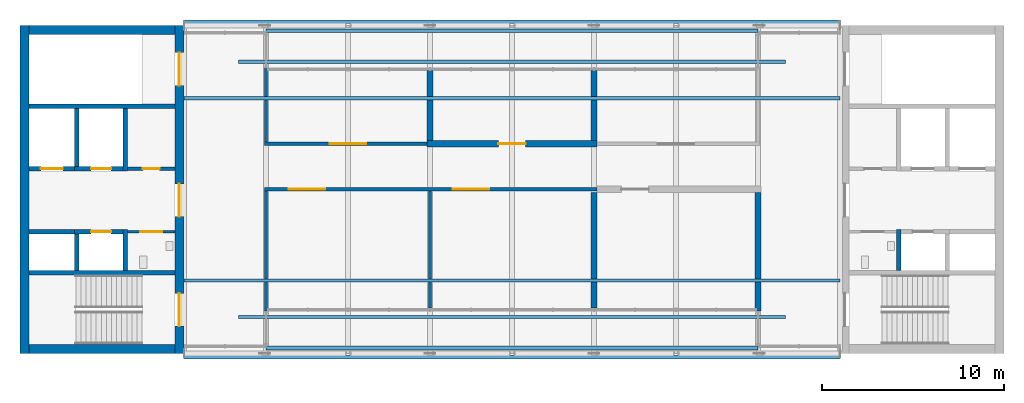
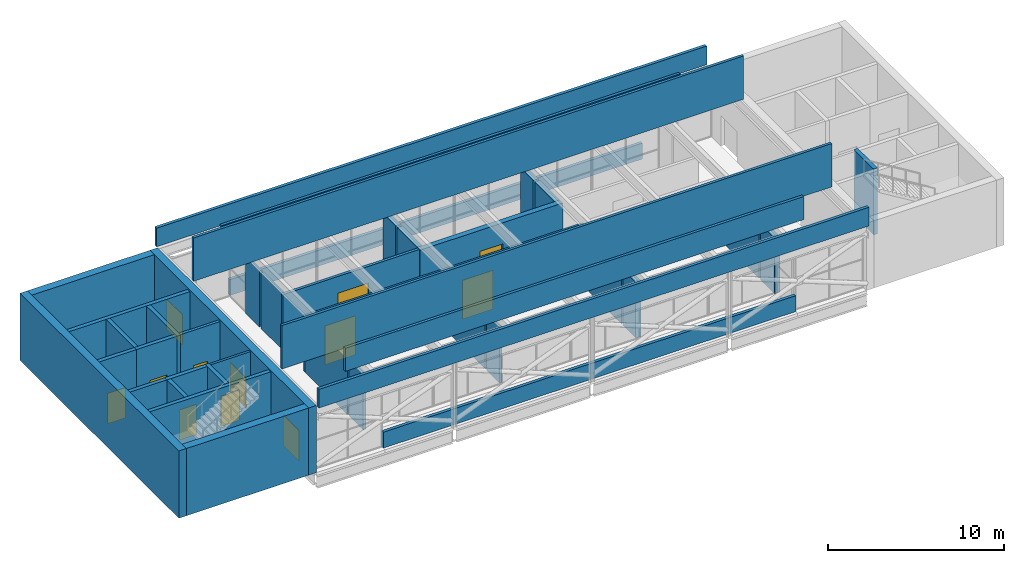
# One storey, part 10 of 13: 42 walls, 12 doors, 12 openings.
"""IFC4 building model written with IfcOpenShell, lengths in metres."""

from ifc_helpers import new_model, si_unit, direction, frame, frame_2d, origin, place, context, subcontext, project, spatial, rectangle, extrude, material, layer, layer_set, type_object, element, fill, save


model = new_model("IFC4")

# Units and contexts
model_context = context("Model", 3, precision=1e-05, world=origin(), true_north=direction((0.0, 1.0)))
body_context = subcontext(model_context, "Body", "Model", "MODEL_VIEW")
ifc_project = project(units=[si_unit("LENGTHUNIT", "METRE"), si_unit("AREAUNIT", "SQUARE_METRE"), si_unit("VOLUMEUNIT", "CUBIC_METRE"), si_unit("PLANEANGLEUNIT", "RADIAN"), si_unit("MASSUNIT", "GRAM", prefix="KILO")], contexts=[model_context])

# Site, building, storey
site_placement = place(None, origin())
site = spatial("IfcSite", under=ifc_project, at=site_placement, CompositionType="ELEMENT")
building_placement = place(site_placement, origin())
building = spatial("IfcBuilding", under=site, at=building_placement, Name="Corbel Yard City Hall", CompositionType="ELEMENT")
storey_placement = place(building_placement, frame((0.0, 0.0, 71.199951171875)))
storey = spatial("IfcBuildingStorey", under=building, at=storey_placement, Name="L17", CompositionType="ELEMENT", Elevation=71.199951171875)

# Walls
ifc_material_1 = material(Name="Anodised aluminium", Category="aluminium")
ifc_layer_1 = layer(ifc_material_1, 0.080078125)
ifc_material_2 = material(Name="Steel Grade 300 (300 MPa yield)", Category="steel")
ifc_layer_2 = layer(ifc_material_2, 0.10009765625)
ifc_layer_set_1 = layer_set([ifc_layer_1, ifc_layer_2], Name="Steel Grade 300 (300 MPa yield)")
wall_type_1 = type_object("IfcWallType", Name="EW6", PredefinedType="SOLIDWALL", material=ifc_layer_set_1)
wall_1_placement = place(storey_placement, frame((12.0, 101.0, 4.800048828125), z_axis=(0.0, 0.0, 1.0), x_axis=(1.0, 0.0, 0.0)))
element("IfcWall", 1, at=wall_1_placement, inside=storey, type_object=wall_type_1, Name="Plant screen", PredefinedType="SOLIDWALL", context=body_context, shape_type="SweptSolid", body=[
    extrude(rectangle(XDim=30.0, YDim=0.179931640625, at=frame_2d((15.0, 0.0))), origin(), (0.0, 0.0, 1.0), 1.60009765625),
])
wall_2_placement = place(storey_placement, frame((9.0, 103.0, 4.800048828125), z_axis=(0.0, 0.0, 1.0), x_axis=(1.0, 0.0, 0.0)))
element("IfcWall", 2, at=wall_2_placement, inside=storey, type_object=wall_type_1, Name="Plant screen", PredefinedType="SOLIDWALL", context=body_context, shape_type="SweptSolid", body=[
    extrude(rectangle(XDim=36.0, YDim=0.179931640625, at=frame_2d((18.0, 0.0))), origin(), (0.0, 0.0, 1.0), 3.0),
])
wall_3_placement = place(storey_placement, frame((12.0, 115.0, 4.800048828125), z_axis=(0.0, 0.0, 1.0), x_axis=(1.0, 0.0, 0.0)))
element("IfcWall", 3, at=wall_3_placement, inside=storey, type_object=wall_type_1, Name="Plant screen", PredefinedType="SOLIDWALL", context=body_context, shape_type="SweptSolid", body=[
    extrude(rectangle(XDim=30.0, YDim=0.179931640625, at=frame_2d((15.0, 0.0))), origin(), (0.0, 0.0, 1.0), 1.60009765625),
])
wall_4_placement = place(storey_placement, frame((9.0, 113.0, 4.800048828125), z_axis=(0.0, 0.0, 1.0), x_axis=(1.0, 0.0, 0.0)))
element("IfcWall", 4, at=wall_4_placement, inside=storey, type_object=wall_type_1, Name="Plant screen", PredefinedType="SOLIDWALL", context=body_context, shape_type="SweptSolid", body=[
    extrude(rectangle(XDim=36.0, YDim=0.179931640625, at=frame_2d((18.0, 0.0))), origin(), (0.0, 0.0, 1.0), 3.0),
])
ifc_material_3 = material(Name="Concrete N40 (40 MPa)", Category="concrete")
ifc_layer_3 = layer(ifc_material_3, 0.25)
ifc_layer_set_2 = layer_set([ifc_layer_3], Name="Concrete N40 (40 MPa)")
wall_type_2 = type_object("IfcWallType", Name="IW2", PredefinedType="SOLIDWALL", material=ifc_layer_set_2)
for number, where, z_axis, x_axis, name in (
    (5, (8.5, 103.425048828125, 0.0), (0.0, 0.0, 1.0), (-1.0, 0.0, 0.0), "Stair enclosure wall"),
    (6, (8.5, 112.574951171875, 0.0), (0.0, 0.0, 1.0), (-1.0, 0.0, 0.0), "Stair enclosure wall"),
):
    element("IfcWall", number, at=place(storey_placement, frame(where, z_axis=z_axis, x_axis=x_axis)), inside=storey, type_object=wall_type_2, Name=name, PredefinedType="SOLIDWALL", context=body_context, shape_type="SweptSolid", body=[
        extrude(rectangle(XDim=8.0, YDim=0.25, at=frame_2d((4.0, 0.0))), origin(), (0.0, 0.0, 1.0), 4.550048828125),
    ])
wall_5_placement = place(storey_placement, frame((5.77490234375, 103.550048828125, 0.0), z_axis=(0.0, 0.0, 1.0), x_axis=(0.0, 1.0, 0.0)))
element("IfcWall", 7, at=wall_5_placement, inside=storey, type_object=wall_type_2, Name="Lift LP22 shaft wall", PredefinedType="SOLIDWALL", context=body_context, shape_type="SweptSolid", body=[
    extrude(rectangle(XDim=2.25, YDim=0.25, at=frame_2d((1.125, 0.0))), origin(), (0.0, 0.0, 1.0), 4.550048828125),
])
wall_6_placement = place(storey_placement, frame((3.125, 103.550048828125, 0.0), z_axis=(0.0, 0.0, 1.0), x_axis=(0.0, 1.0, 0.0)))
element("IfcWall", 8, at=wall_6_placement, inside=storey, type_object=wall_type_2, Name="Lift LP22 shaft wall", PredefinedType="SOLIDWALL", context=body_context, shape_type="SweptSolid", body=[
    extrude(rectangle(XDim=2.0, YDim=0.25, at=frame_2d((1.0, 0.0))), origin(), (0.0, 0.0, 1.0), 4.550048828125),
])

# Wall, opening, door
wall_7_placement = place(storey_placement, frame((5.64990234375, 105.675048828125, 0.0), z_axis=(0.0, 0.0, 1.0), x_axis=(-1.0, 0.0, 0.0)))
wall_7 = element("IfcWall", 9, at=wall_7_placement, inside=storey, type_object=wall_type_2, Name="Lift LP22 shaft wall", PredefinedType="SOLIDWALL", context=body_context, shape_type="SweptSolid", body=[
    extrude(rectangle(XDim=2.64990234375, YDim=0.25, at=frame_2d((1.324951171875, 0.0))), origin(), (0.0, 0.0, 1.0), 4.550048828125),
])
opening_1_placement = place(wall_7_placement, frame((0.64990234375, 0.0, 0.0)))
opening_1 = element("IfcOpeningElement", 10, at=opening_1_placement, cuts=wall_7, Name="Opening L17-001", PredefinedType="OPENING", context=body_context, shape_type="SweptSolid", body=[
    extrude(rectangle(XDim=1.10009765625, YDim=2.10009765625, at=frame_2d((0.550048828125, 1.050048828125))), frame((0.0, 0.135009765625, 0.0), z_axis=(0.0, -1.0, 0.0), x_axis=(1.0, 0.0, 0.0)), (0.0, 0.0, 1.0), 0.27001953125),
])
ifc_material_4 = material(Name="Stainless steel Grade 316", Category="steel")
door_type_1 = type_object("IfcDoorType", Name="LD1", OperationType="DOUBLE_DOOR_SLIDING", PredefinedType="DOOR", material=ifc_material_4)
door_1_placement = place(opening_1_placement, origin())
door_1 = element("IfcDoor", 11, at=door_1_placement, inside=storey, type_object=door_type_1, Name="Lift LP22 landing door", OperationType="DOUBLE_DOOR_SLIDING", OverallHeight=2.10009765625, OverallWidth=1.10009765625, PredefinedType="DOOR", context=body_context, shape_type="SweptSolid", body=[
    extrude(rectangle(XDim=1.10009765625, YDim=2.10009765625, at=frame_2d((0.550048828125, 1.050048828125))), frame((0.0, 0.02490234375, 0.0), z_axis=(0.0, -1.0, 0.0), x_axis=(1.0, 0.0, 0.0)), (0.0, 0.0, 1.0), 0.050048828125),
])
fill(opening_1, door_1)

# Walls
wall_8_placement = place(storey_placement, frame((3.0, 105.675048828125, 0.0), z_axis=(0.0, 0.0, 1.0), x_axis=(-1.0, 0.0, 0.0)))
element("IfcWall", 12, at=wall_8_placement, inside=storey, type_object=wall_type_2, Name="Lift LP23 shaft wall", PredefinedType="SOLIDWALL", context=body_context, shape_type="SweptSolid", body=[
    extrude(rectangle(XDim=2.5, YDim=0.25, at=frame_2d((1.25, 0.0))), origin(), (0.0, 0.0, 1.0), 4.550048828125),
])
wall_9_placement = place(storey_placement, frame((5.77490234375, 109.0, 0.0), z_axis=(0.0, 0.0, 1.0), x_axis=(0.0, 1.0, 0.0)))
element("IfcWall", 13, at=wall_9_placement, inside=storey, type_object=wall_type_2, Name="Lift LP24 shaft wall", PredefinedType="SOLIDWALL", context=body_context, shape_type="SweptSolid", body=[
    extrude(rectangle(XDim=3.449951171875, YDim=0.25, at=frame_2d((1.72509765625, 0.0))), origin(), (0.0, 0.0, 1.0), 4.550048828125),
])
wall_10_placement = place(storey_placement, frame((3.125, 109.25, 0.0), z_axis=(0.0, 0.0, 1.0), x_axis=(0.0, 1.0, 0.0)))
element("IfcWall", 14, at=wall_10_placement, inside=storey, type_object=wall_type_2, Name="Lift LP24 shaft wall", PredefinedType="SOLIDWALL", context=body_context, shape_type="SweptSolid", body=[
    extrude(rectangle(XDim=3.199951171875, YDim=0.25, at=frame_2d((1.60009765625, 0.0))), origin(), (0.0, 0.0, 1.0), 4.550048828125),
])

# Wall, opening, door
wall_11_placement = place(storey_placement, frame((5.64990234375, 109.125, 0.0), z_axis=(0.0, 0.0, 1.0), x_axis=(-1.0, 0.0, 0.0)))
wall_11 = element("IfcWall", 15, at=wall_11_placement, inside=storey, type_object=wall_type_2, Name="Lift LP24 shaft wall", PredefinedType="SOLIDWALL", context=body_context, shape_type="SweptSolid", body=[
    extrude(rectangle(XDim=2.64990234375, YDim=0.25, at=frame_2d((1.324951171875, 0.0))), origin(), (0.0, 0.0, 1.0), 4.550048828125),
])
opening_2_placement = place(wall_11_placement, frame((0.64990234375, 0.0, 0.0)))
opening_2 = element("IfcOpeningElement", 16, at=opening_2_placement, cuts=wall_11, Name="Opening L17-002", PredefinedType="OPENING", context=body_context, shape_type="SweptSolid", body=[
    extrude(rectangle(XDim=1.10009765625, YDim=2.10009765625, at=frame_2d((0.550048828125, 1.050048828125))), frame((0.0, 0.135009765625, 0.0), z_axis=(0.0, -1.0, 0.0), x_axis=(1.0, 0.0, 0.0)), (0.0, 0.0, 1.0), 0.27001953125),
])
door_2_placement = place(opening_2_placement, origin())
door_2 = element("IfcDoor", 17, at=door_2_placement, inside=storey, type_object=door_type_1, Name="Lift LP24 landing door", OperationType="DOUBLE_DOOR_SLIDING", OverallHeight=2.10009765625, OverallWidth=1.10009765625, PredefinedType="DOOR", context=body_context, shape_type="SweptSolid", body=[
    extrude(rectangle(XDim=1.10009765625, YDim=2.10009765625, at=frame_2d((0.550048828125, 1.050048828125))), frame((0.0, 0.02490234375, 0.0), z_axis=(0.0, -1.0, 0.0), x_axis=(1.0, 0.0, 0.0)), (0.0, 0.0, 1.0), 0.050048828125),
])
fill(opening_2, door_2)

wall_12_placement = place(storey_placement, frame((3.0, 109.125, 0.0), z_axis=(0.0, 0.0, 1.0), x_axis=(-1.0, 0.0, 0.0)))
wall_12 = element("IfcWall", 18, at=wall_12_placement, inside=storey, type_object=wall_type_2, Name="Lift LF1 shaft wall", PredefinedType="SOLIDWALL", context=body_context, shape_type="SweptSolid", body=[
    extrude(rectangle(XDim=2.5, YDim=0.25, at=frame_2d((1.25, 0.0))), origin(), (0.0, 0.0, 1.0), 4.550048828125),
])
opening_3_placement = place(wall_12_placement, frame((0.64990234375, 0.0, 0.0)))
opening_3 = element("IfcOpeningElement", 19, at=opening_3_placement, cuts=wall_12, Name="Opening L17-003", PredefinedType="OPENING", context=body_context, shape_type="SweptSolid", body=[
    extrude(rectangle(XDim=1.199951171875, YDim=2.10009765625, at=frame_2d((0.60009765625, 1.050048828125))), frame((0.0, 0.135009765625, 0.0), z_axis=(0.0, -1.0, 0.0), x_axis=(1.0, 0.0, 0.0)), (0.0, 0.0, 1.0), 0.27001953125),
])
door_type_2 = type_object("IfcDoorType", Name="LD2", OperationType="DOUBLE_DOOR_SLIDING", PredefinedType="DOOR", material=ifc_material_4)
door_3_placement = place(opening_3_placement, origin())
door_3 = element("IfcDoor", 20, at=door_3_placement, inside=storey, type_object=door_type_2, Name="Lift LF1 landing door", OperationType="DOUBLE_DOOR_SLIDING", OverallHeight=2.10009765625, OverallWidth=1.199951171875, PredefinedType="DOOR", context=body_context, shape_type="SweptSolid", body=[
    extrude(rectangle(XDim=1.199951171875, YDim=2.10009765625, at=frame_2d((0.60009765625, 1.050048828125))), frame((0.0, 0.02490234375, 0.0), z_axis=(0.0, -1.0, 0.0), x_axis=(1.0, 0.0, 0.0)), (0.0, 0.0, 1.0), 0.050048828125),
])
fill(opening_3, door_3)

# Walls
wall_13_placement = place(storey_placement, frame((48.22509765625, 103.550048828125, 0.0), z_axis=(0.0, 0.0, 1.0), x_axis=(0.0, 1.0, 0.0)))
element("IfcWall", 21, at=wall_13_placement, inside=storey, type_object=wall_type_2, Name="Lift LP25 shaft wall", PredefinedType="SOLIDWALL", context=body_context, shape_type="SweptSolid", body=[
    extrude(rectangle(XDim=2.25, YDim=0.25, at=frame_2d((1.125, 0.0))), origin(), (0.0, 0.0, 1.0), 4.550048828125),
])
ifc_material_5 = material(Name="Aluminium composite panel", Category="aluminium")
ifc_layer_4 = layer(ifc_material_5, 0.199951171875)
ifc_layer_set_3 = layer_set([ifc_layer_4], Name="Aluminium composite panel")
wall_type_3 = type_object("IfcWallType", Name="PR4", PredefinedType="PARAPET", material=ifc_layer_set_3)
for number, where, z_axis, x_axis, name in (
    (22, (9.0, 98.802978515625, 4.650146484375), (0.0, 0.0, 1.0), (1.0, 0.0, 0.0), "Roof fascia"),
    (23, (9.0, 117.197021484375, 4.650146484375), (0.0, 0.0, 1.0), (1.0, 0.0, 0.0), "Roof fascia"),
):
    element("IfcWall", number, at=place(storey_placement, frame(where, z_axis=z_axis, x_axis=x_axis)), inside=storey, type_object=wall_type_3, Name=name, PredefinedType="PARAPET", context=body_context, shape_type="SweptSolid", body=[
        extrude(rectangle(XDim=36.0, YDim=0.199951171875, at=frame_2d((18.0, 0.0))), origin(), (0.0, 0.0, 1.0), 1.289794921875),
    ])
ifc_layer_5 = layer(ifc_material_5, 0.199951171875)
ifc_layer_set_4 = layer_set([ifc_layer_5], Name="Aluminium composite panel")
wall_type_4 = type_object("IfcWallType", Name="PR5", PredefinedType="PARAPET", material=ifc_layer_set_4)
for number, where, z_axis, x_axis, name in (
    (24, (13.5, 99.300048828125, 0.0), (0.0, 0.0, 1.0), (1.0, 0.0, 0.0), "Strip roof upstand"),
    (25, (13.5, 116.699951171875, 0.0), (0.0, 0.0, 1.0), (1.0, 0.0, 0.0), "Strip roof upstand"),
):
    element("IfcWall", number, at=place(storey_placement, frame(where, z_axis=z_axis, x_axis=x_axis)), inside=storey, type_object=wall_type_4, Name=name, PredefinedType="PARAPET", context=body_context, shape_type="SweptSolid", body=[
        extrude(rectangle(XDim=27.0, YDim=0.199951171875, at=frame_2d((13.5, 0.0))), origin(), (0.0, 0.0, 1.0), 1.10009765625),
    ])

# Wall, opening, door
ifc_material_6 = material(Name="Gypsum plasterboard", Category="gypsum")
ifc_layer_6 = layer(ifc_material_6, 0.031982421875)
ifc_material_7 = material(Name="Steel Grade G550 (550 MPa yield)", Category="steel")
ifc_layer_7 = layer(ifc_material_7, 0.095947265625)
ifc_layer_8 = layer(ifc_material_6, 0.031982421875)
ifc_layer_set_5 = layer_set([ifc_layer_6, ifc_layer_7, ifc_layer_8], Name="Steel Grade G550 (550 MPa yield)")
wall_type_5 = type_object("IfcWallType", Name="PT3", PredefinedType="PARTITIONING", material=ifc_layer_set_5)
wall_14_placement = place(storey_placement, frame((8.5, 105.675048828125, 0.0), z_axis=(0.0, 0.0, 1.0), x_axis=(-1.0, 0.0, 0.0)))
wall_14 = element("IfcWall", 26, at=wall_14_placement, inside=storey, type_object=wall_type_5, Name="Accessible WC wall", PredefinedType="PARTITIONING", context=body_context, shape_type="SweptSolid", body=[
    extrude(rectangle(XDim=2.60009765625, YDim=0.159912109375, at=frame_2d((1.300048828125, 0.0))), origin(), (0.0, 0.0, 1.0), 4.550048828125),
])
opening_4_placement = place(wall_14_placement, frame((0.699951171875, 0.0, 0.0)))
opening_4 = element("IfcOpeningElement", 27, at=opening_4_placement, cuts=wall_14, Name="Opening L17-016", PredefinedType="OPENING", context=body_context, shape_type="SweptSolid", body=[
    extrude(rectangle(XDim=1.199951171875, YDim=2.10009765625, at=frame_2d((0.60009765625, 1.050048828125))), frame((0.0, 0.08984375, 0.0), z_axis=(0.0, -1.0, 0.0), x_axis=(1.0, 0.0, 0.0)), (0.0, 0.0, 1.0), 0.179931640625),
])
ifc_material_8 = material(Name="Steel Grade G250", Category="steel")
door_type_3 = type_object("IfcDoorType", Name="FD7", OperationType="SINGLE_SWING_LEFT", PredefinedType="DOOR", material=ifc_material_8)
door_4_placement = place(opening_4_placement, origin())
door_4 = element("IfcDoor", 28, at=door_4_placement, inside=storey, type_object=door_type_3, Name="Door accessible WC West", OperationType="SINGLE_SWING_LEFT", OverallHeight=2.10009765625, OverallWidth=1.199951171875, PredefinedType="DOOR", context=body_context, shape_type="SweptSolid", body=[
    extrude(rectangle(XDim=1.199951171875, YDim=2.10009765625, at=frame_2d((0.60009765625, 1.050048828125))), frame((0.0, 0.02490234375, 0.0), z_axis=(0.0, -1.0, 0.0), x_axis=(1.0, 0.0, 0.0)), (0.0, 0.0, 1.0), 0.050048828125),
])
fill(opening_4, door_4)

ifc_material_9 = material(Name="Concrete block", Category="concrete")
ifc_layer_9 = layer(ifc_material_9, 0.18994140625)
ifc_layer_set_6 = layer_set([ifc_layer_9], Name="Concrete block")
wall_type_6 = type_object("IfcWallType", Name="PT4", PredefinedType="PARTITIONING", material=ifc_layer_set_6)
wall_15_placement = place(storey_placement, frame((8.5, 109.125, 0.0), z_axis=(0.0, 0.0, 1.0), x_axis=(-1.0, 0.0, 0.0)))
wall_15 = element("IfcWall", 29, at=wall_15_placement, inside=storey, type_object=wall_type_6, Name="Riser wall", PredefinedType="PARTITIONING", context=body_context, shape_type="SweptSolid", body=[
    extrude(rectangle(XDim=2.60009765625, YDim=0.18994140625, at=frame_2d((1.300048828125, 0.0))), origin(), (0.0, 0.0, 1.0), 4.550048828125),
])
opening_5_placement = place(wall_15_placement, frame((0.840087890625, 0.0, 0.0)))
opening_5 = element("IfcOpeningElement", 30, at=opening_5_placement, cuts=wall_15, Name="Opening L17-017", PredefinedType="OPENING", context=body_context, shape_type="SweptSolid", body=[
    extrude(rectangle(XDim=0.919921875, YDim=2.10009765625, at=frame_2d((0.4599609375, 1.050048828125))), frame((0.0, 0.10498046875, 0.0), z_axis=(0.0, -1.0, 0.0), x_axis=(1.0, 0.0, 0.0)), (0.0, 0.0, 1.0), 0.2099609375),
])
door_type_4 = type_object("IfcDoorType", Name="FS4", OperationType="SINGLE_SWING_LEFT", PredefinedType="DOOR", material=ifc_material_8)
door_5_placement = place(opening_5_placement, frame((0.919921875, 0.0, 0.0), z_axis=(0.0, 0.0, 1.0), x_axis=(-1.0, 0.0, 0.0)))
door_5 = element("IfcDoor", 31, at=door_5_placement, inside=storey, type_object=door_type_4, Name="Door riser West", OperationType="SINGLE_SWING_RIGHT", OverallHeight=2.10009765625, OverallWidth=0.919921875, PredefinedType="DOOR", context=body_context, shape_type="SweptSolid", body=[
    extrude(rectangle(XDim=0.919921875, YDim=2.10009765625, at=frame_2d((0.4599609375, 1.050048828125))), frame((0.0, 0.02490234375, 0.0), z_axis=(0.0, -1.0, 0.0), x_axis=(1.0, 0.0, 0.0)), (0.0, 0.0, 1.0), 0.050048828125),
])
fill(opening_5, door_5)

# Wall, openings, doors
wall_16_placement = place(storey_placement, frame((13.405029296875, 108.0, 0.0), z_axis=(0.0, 0.0, 1.0), x_axis=(1.0, 0.0, 0.0)))
wall_16 = element("IfcWall", 32, at=wall_16_placement, inside=storey, type_object=wall_type_6, Name="Fire-resisting block wall", PredefinedType="PARTITIONING", context=body_context, shape_type="SweptSolid", body=[
    extrude(rectangle(XDim=18.27001953125, YDim=0.18994140625, at=frame_2d((9.135009765625, 0.0))), origin(), (0.0, 0.0, 1.0), 3.858154296875),
])
opening_6_placement = place(wall_16_placement, frame((1.344970703125, 0.0, 0.0)))
opening_6 = element("IfcOpeningElement", 33, at=opening_6_placement, cuts=wall_16, Name="Opening L17-007", PredefinedType="OPENING", context=body_context, shape_type="SweptSolid", body=[
    extrude(rectangle(XDim=2.0, YDim=2.699951171875, at=frame_2d((1.0, 1.35009765625))), frame((0.0, 0.10498046875, 0.0), z_axis=(0.0, -1.0, 0.0), x_axis=(1.0, 0.0, 0.0)), (0.0, 0.0, 1.0), 0.2099609375),
])
opening_7_placement = place(wall_16_placement, frame((10.344970703125, 0.0, 0.0)))
opening_7 = element("IfcOpeningElement", 34, at=opening_7_placement, cuts=wall_16, Name="Opening L17-008", PredefinedType="OPENING", context=body_context, shape_type="SweptSolid", body=[
    extrude(rectangle(XDim=2.0, YDim=2.699951171875, at=frame_2d((1.0, 1.35009765625))), frame((0.0, 0.10498046875, 0.0), z_axis=(0.0, -1.0, 0.0), x_axis=(1.0, 0.0, 0.0)), (0.0, 0.0, 1.0), 0.2099609375),
])
door_type_5 = type_object("IfcDoorType", Name="FS45", OperationType="DOUBLE_DOOR_SINGLE_SWING", PredefinedType="DOOR", material=ifc_material_8)
door_6_placement = place(opening_6_placement, origin())
door_6 = element("IfcDoor", 35, at=door_6_placement, inside=storey, type_object=door_type_5, Name="Door Air Handling Plant Room 1704", OperationType="DOUBLE_DOOR_SINGLE_SWING", OverallHeight=2.699951171875, OverallWidth=2.0, PredefinedType="DOOR", context=body_context, shape_type="SweptSolid", body=[
    extrude(rectangle(XDim=2.0, YDim=2.699951171875, at=frame_2d((1.0, 1.35009765625))), frame((0.0, 0.02490234375, 0.0), z_axis=(0.0, -1.0, 0.0), x_axis=(1.0, 0.0, 0.0)), (0.0, 0.0, 1.0), 0.050048828125),
])
fill(opening_6, door_6)
door_7_placement = place(opening_7_placement, origin())
door_7 = element("IfcDoor", 36, at=door_7_placement, inside=storey, type_object=door_type_5, Name="Door Chilled Water Plant Room 1705", OperationType="DOUBLE_DOOR_SINGLE_SWING", OverallHeight=2.699951171875, OverallWidth=2.0, PredefinedType="DOOR", context=body_context, shape_type="SweptSolid", body=[
    extrude(rectangle(XDim=2.0, YDim=2.699951171875, at=frame_2d((1.0, 1.35009765625))), frame((0.0, 0.02490234375, 0.0), z_axis=(0.0, -1.0, 0.0), x_axis=(1.0, 0.0, 0.0)), (0.0, 0.0, 1.0), 0.050048828125),
])
fill(opening_7, door_7)

# Wall, opening, door
wall_17_placement = place(storey_placement, frame((13.405029296875, 110.5, 0.0), z_axis=(0.0, 0.0, 1.0), x_axis=(1.0, 0.0, 0.0)))
wall_17 = element("IfcWall", 37, at=wall_17_placement, inside=storey, type_object=wall_type_6, Name="Fire-resisting block wall", PredefinedType="PARTITIONING", context=body_context, shape_type="SweptSolid", body=[
    extrude(rectangle(XDim=8.919921875, YDim=0.18994140625, at=frame_2d((4.4599609375, 0.0))), origin(), (0.0, 0.0, 1.0), 3.858154296875),
])
opening_8_placement = place(wall_17_placement, frame((3.594970703125, 0.0, 0.0)))
opening_8 = element("IfcOpeningElement", 38, at=opening_8_placement, cuts=wall_17, Name="Opening L17-010", PredefinedType="OPENING", context=body_context, shape_type="SweptSolid", body=[
    extrude(rectangle(XDim=2.0, YDim=2.699951171875, at=frame_2d((1.0, 1.35009765625))), frame((0.0, 0.10498046875, 0.0), z_axis=(0.0, -1.0, 0.0), x_axis=(1.0, 0.0, 0.0)), (0.0, 0.0, 1.0), 0.2099609375),
])
door_8_placement = place(opening_8_placement, origin())
door_8 = element("IfcDoor", 39, at=door_8_placement, inside=storey, type_object=door_type_5, Name="Door Hydraulic Pump Room 1707", OperationType="DOUBLE_DOOR_SINGLE_SWING", OverallHeight=2.699951171875, OverallWidth=2.0, PredefinedType="DOOR", context=body_context, shape_type="SweptSolid", body=[
    extrude(rectangle(XDim=2.0, YDim=2.699951171875, at=frame_2d((1.0, 1.35009765625))), frame((0.0, 0.02490234375, 0.0), z_axis=(0.0, -1.0, 0.0), x_axis=(1.0, 0.0, 0.0)), (0.0, 0.0, 1.0), 0.050048828125),
])
fill(opening_8, door_8)

# Walls
wall_18_placement = place(storey_placement, frame((13.5, 101.320068359375, 0.0), z_axis=(0.0, 0.0, 1.0), x_axis=(0.0, 1.0, 0.0)))
element("IfcWall", 40, at=wall_18_placement, inside=storey, type_object=wall_type_6, Name="Fire-resisting block wall", PredefinedType="PARTITIONING", context=body_context, shape_type="SweptSolid", body=[
    extrude(rectangle(XDim=1.58984375, YDim=0.18994140625, at=frame_2d((0.794921875, 0.0))), origin(), (0.0, 0.0, 1.0), 3.858154296875),
])
wall_19_placement = place(storey_placement, frame((13.5, 103.090087890625, 0.0), z_axis=(0.0, 0.0, 1.0), x_axis=(0.0, 1.0, 0.0)))
element("IfcWall", 41, at=wall_19_placement, inside=storey, type_object=wall_type_6, Name="Fire-resisting block wall", PredefinedType="PARTITIONING", context=body_context, shape_type="SweptSolid", body=[
    extrude(rectangle(XDim=4.81494140625, YDim=0.18994140625, at=frame_2d((2.407470703125, 0.0))), origin(), (0.0, 0.0, 1.0), 3.858154296875),
])
wall_20_placement = place(storey_placement, frame((13.5, 110.594970703125, 0.0), z_axis=(0.0, 0.0, 1.0), x_axis=(0.0, 1.0, 0.0)))
element("IfcWall", 42, at=wall_20_placement, inside=storey, type_object=wall_type_6, Name="Fire-resisting block wall", PredefinedType="PARTITIONING", context=body_context, shape_type="SweptSolid", body=[
    extrude(rectangle(XDim=2.31494140625, YDim=0.18994140625, at=frame_2d((1.157470703125, 0.0))), origin(), (0.0, 0.0, 1.0), 3.858154296875),
])
wall_21_placement = place(storey_placement, frame((13.5, 113.090087890625, 0.0), z_axis=(0.0, 0.0, 1.0), x_axis=(0.0, 1.0, 0.0)))
element("IfcWall", 43, at=wall_21_placement, inside=storey, type_object=wall_type_6, Name="Fire-resisting block wall", PredefinedType="PARTITIONING", context=body_context, shape_type="SweptSolid", body=[
    extrude(rectangle(XDim=1.58984375, YDim=0.18994140625, at=frame_2d((0.794921875, 0.0))), origin(), (0.0, 0.0, 1.0), 3.858154296875),
])
wall_22_placement = place(storey_placement, frame((22.5, 101.47998046875, 0.0), z_axis=(0.0, 0.0, 1.0), x_axis=(0.0, 1.0, 0.0)))
element("IfcWall", 44, at=wall_22_placement, inside=storey, type_object=wall_type_6, Name="Fire-resisting block wall", PredefinedType="PARTITIONING", context=body_context, shape_type="SweptSolid", body=[
    extrude(rectangle(XDim=1.429931640625, YDim=0.18994140625, at=frame_2d((0.71484375, 0.0))), origin(), (0.0, 0.0, 1.0), 3.858154296875),
])
wall_23_placement = place(storey_placement, frame((22.5, 103.090087890625, 0.0), z_axis=(0.0, 0.0, 1.0), x_axis=(0.0, 1.0, 0.0)))
element("IfcWall", 45, at=wall_23_placement, inside=storey, type_object=wall_type_6, Name="Fire-resisting block wall", PredefinedType="PARTITIONING", context=body_context, shape_type="SweptSolid", body=[
    extrude(rectangle(XDim=4.81494140625, YDim=0.18994140625, at=frame_2d((2.407470703125, 0.0))), origin(), (0.0, 0.0, 1.0), 3.858154296875),
])

# Wall, opening, door
ifc_layer_10 = layer(ifc_material_9, 0.35009765625)
ifc_layer_set_7 = layer_set([ifc_layer_10], Name="Concrete block")
wall_type_7 = type_object("IfcWallType", Name="PT44", PredefinedType="PARTITIONING", material=ifc_layer_set_7)
wall_24_placement = place(storey_placement, frame((22.324951171875, 110.5, 0.0), z_axis=(0.0, 0.0, 1.0), x_axis=(1.0, 0.0, 0.0)))
wall_24 = element("IfcWall", 46, at=wall_24_placement, inside=storey, type_object=wall_type_7, Name="Fire-resisting riser wall", PredefinedType="PARTITIONING", context=body_context, shape_type="SweptSolid", body=[
    extrude(rectangle(XDim=9.35009765625, YDim=0.35009765625, at=frame_2d((4.675048828125, 0.0))), origin(), (0.0, 0.0, 1.0), 3.858154296875),
])
opening_9_placement = place(wall_24_placement, frame((3.925048828125, 0.0, 0.0)))
opening_9 = element("IfcOpeningElement", 47, at=opening_9_placement, cuts=wall_24, Name="Opening L17-011", PredefinedType="OPENING", context=body_context, shape_type="SweptSolid", body=[
    extrude(rectangle(XDim=1.5, YDim=2.39990234375, at=frame_2d((0.75, 1.199951171875))), frame((0.0, 0.18505859375, 0.0), z_axis=(0.0, -1.0, 0.0), x_axis=(1.0, 0.0, 0.0)), (0.0, 0.0, 1.0), 0.3701171875),
])
door_type_6 = type_object("IfcDoorType", Name="FS46", OperationType="DOUBLE_DOOR_SINGLE_SWING", PredefinedType="DOOR", material=ifc_material_8)
door_9_placement = place(opening_9_placement, origin())
door_9 = element("IfcDoor", 48, at=door_9_placement, inside=storey, type_object=door_type_6, Name="Door Communications Room 1708", OperationType="DOUBLE_DOOR_SINGLE_SWING", OverallHeight=2.39990234375, OverallWidth=1.5, PredefinedType="DOOR", context=body_context, shape_type="SweptSolid", body=[
    extrude(rectangle(XDim=1.5, YDim=2.39990234375, at=frame_2d((0.75, 1.199951171875))), frame((0.0, 0.02490234375, 0.0), z_axis=(0.0, -1.0, 0.0), x_axis=(1.0, 0.0, 0.0)), (0.0, 0.0, 1.0), 0.050048828125),
])
fill(opening_9, door_9)

# Walls
wall_25_placement = place(storey_placement, frame((22.5, 110.675048828125, 0.0), z_axis=(0.0, 0.0, 1.0), x_axis=(0.0, 1.0, 0.0)))
element("IfcWall", 49, at=wall_25_placement, inside=storey, type_object=wall_type_7, Name="Fire-resisting riser wall", PredefinedType="PARTITIONING", context=body_context, shape_type="SweptSolid", body=[
    extrude(rectangle(XDim=2.23486328125, YDim=0.35009765625, at=frame_2d((1.117431640625, 0.0))), origin(), (0.0, 0.0, 1.0), 3.858154296875),
])
for number, where, z_axis, x_axis, name in (
    (50, (22.5, 113.090087890625, 0.0), (0.0, 0.0, 1.0), (0.0, 1.0, 0.0), "Fire-resisting riser wall"),
    (51, (31.5, 101.47998046875, 0.0), (0.0, 0.0, 1.0), (0.0, 1.0, 0.0), "Fire-resisting riser wall"),
):
    element("IfcWall", number, at=place(storey_placement, frame(where, z_axis=z_axis, x_axis=x_axis)), inside=storey, type_object=wall_type_7, Name=name, PredefinedType="PARTITIONING", context=body_context, shape_type="SweptSolid", body=[
        extrude(rectangle(XDim=1.429931640625, YDim=0.35009765625, at=frame_2d((0.71484375, 0.0))), origin(), (0.0, 0.0, 1.0), 3.858154296875),
    ])
wall_26_placement = place(storey_placement, frame((31.5, 103.090087890625, 0.0), z_axis=(0.0, 0.0, 1.0), x_axis=(0.0, 1.0, 0.0)))
element("IfcWall", 52, at=wall_26_placement, inside=storey, type_object=wall_type_7, Name="Fire-resisting riser wall", PredefinedType="PARTITIONING", context=body_context, shape_type="SweptSolid", body=[
    extrude(rectangle(XDim=4.73486328125, YDim=0.35009765625, at=frame_2d((2.367431640625, 0.0))), origin(), (0.0, 0.0, 1.0), 3.858154296875),
])
wall_27_placement = place(storey_placement, frame((31.5, 110.675048828125, 0.0), z_axis=(0.0, 0.0, 1.0), x_axis=(0.0, 1.0, 0.0)))
element("IfcWall", 53, at=wall_27_placement, inside=storey, type_object=wall_type_7, Name="Fire-resisting riser wall", PredefinedType="PARTITIONING", context=body_context, shape_type="SweptSolid", body=[
    extrude(rectangle(XDim=2.23486328125, YDim=0.35009765625, at=frame_2d((1.117431640625, 0.0))), origin(), (0.0, 0.0, 1.0), 3.858154296875),
])
wall_28_placement = place(storey_placement, frame((31.5, 113.090087890625, 0.0), z_axis=(0.0, 0.0, 1.0), x_axis=(0.0, 1.0, 0.0)))
element("IfcWall", 54, at=wall_28_placement, inside=storey, type_object=wall_type_7, Name="Fire-resisting riser wall", PredefinedType="PARTITIONING", context=body_context, shape_type="SweptSolid", body=[
    extrude(rectangle(XDim=1.429931640625, YDim=0.35009765625, at=frame_2d((0.71484375, 0.0))), origin(), (0.0, 0.0, 1.0), 3.858154296875),
])
wall_29_placement = place(storey_placement, frame((40.5, 101.320068359375, 0.0), z_axis=(0.0, 0.0, 1.0), x_axis=(0.0, 1.0, 0.0)))
element("IfcWall", 55, at=wall_29_placement, inside=storey, type_object=wall_type_7, Name="Fire-resisting riser wall", PredefinedType="PARTITIONING", context=body_context, shape_type="SweptSolid", body=[
    extrude(rectangle(XDim=1.58984375, YDim=0.35009765625, at=frame_2d((0.794921875, 0.0))), origin(), (0.0, 0.0, 1.0), 3.858154296875),
])
wall_30_placement = place(storey_placement, frame((40.5, 103.090087890625, 0.0), z_axis=(0.0, 0.0, 1.0), x_axis=(0.0, 1.0, 0.0)))
element("IfcWall", 56, at=wall_30_placement, inside=storey, type_object=wall_type_7, Name="Fire-resisting riser wall", PredefinedType="PARTITIONING", context=body_context, shape_type="SweptSolid", body=[
    extrude(rectangle(XDim=4.73486328125, YDim=0.35009765625, at=frame_2d((2.367431640625, 0.0))), origin(), (0.0, 0.0, 1.0), 3.858154296875),
])
ifc_material_10 = material(Name="Concrete N50 (50 MPa)", Category="concrete")
ifc_layer_11 = layer(ifc_material_10, 0.5)
ifc_layer_set_8 = layer_set([ifc_layer_11], Name="Concrete N50 (50 MPa)")
wall_type_8 = type_object("IfcWallType", Name="Trunk wall 500", PredefinedType="SHEAR", material=ifc_layer_set_8)
wall_31_placement = place(storey_placement, frame((0.25, 99.0, 0.0), z_axis=(0.0, 0.0, 1.0), x_axis=(0.0, 1.0, 0.0)))
element("IfcWall", 57, at=wall_31_placement, inside=storey, type_object=wall_type_8, Name="Trunk W west wall", PredefinedType="SHEAR", context=body_context, shape_type="SweptSolid", body=[
    extrude(rectangle(XDim=18.0, YDim=0.5, at=frame_2d((9.0, 0.0))), origin(), (0.0, 0.0, 1.0), 4.650146484375),
])

# Wall, openings, doors
wall_32_placement = place(storey_placement, frame((8.75, 99.0, 0.0), z_axis=(0.0, 0.0, 1.0), x_axis=(0.0, 1.0, 0.0)))
wall_32 = element("IfcWall", 58, at=wall_32_placement, inside=storey, type_object=wall_type_8, Name="Trunk W east wall", PredefinedType="SHEAR", context=body_context, shape_type="SweptSolid", body=[
    extrude(rectangle(XDim=18.0, YDim=0.5, at=frame_2d((9.0, 0.0))), origin(), (0.0, 0.0, 1.0), 4.650146484375),
])
opening_10_placement = place(wall_32_placement, frame((1.5, 0.0, 0.0)))
opening_10 = element("IfcOpeningElement", 59, at=opening_10_placement, cuts=wall_32, Name="Opening L17-013", PredefinedType="OPENING", context=body_context, shape_type="SweptSolid", body=[
    extrude(rectangle(XDim=1.800048828125, YDim=2.10009765625, at=frame_2d((0.89990234375, 1.050048828125))), frame((0.0, 0.260009765625, 0.0), z_axis=(0.0, -1.0, 0.0), x_axis=(1.0, 0.0, 0.0)), (0.0, 0.0, 1.0), 0.52001953125),
])
opening_11_placement = place(wall_32_placement, frame((14.699951171875, 0.0, 0.0)))
opening_11 = element("IfcOpeningElement", 60, at=opening_11_placement, cuts=wall_32, Name="Opening L17-014", PredefinedType="OPENING", context=body_context, shape_type="SweptSolid", body=[
    extrude(rectangle(XDim=1.800048828125, YDim=2.10009765625, at=frame_2d((0.89990234375, 1.050048828125))), frame((0.0, 0.260009765625, 0.0), z_axis=(0.0, -1.0, 0.0), x_axis=(1.0, 0.0, 0.0)), (0.0, 0.0, 1.0), 0.52001953125),
])
opening_12_placement = place(wall_32_placement, frame((7.5, 0.0, 0.0)))
opening_12 = element("IfcOpeningElement", 61, at=opening_12_placement, cuts=wall_32, Name="Opening L17-015", PredefinedType="OPENING", context=body_context, shape_type="SweptSolid", body=[
    extrude(rectangle(XDim=1.800048828125, YDim=2.10009765625, at=frame_2d((0.89990234375, 1.050048828125))), frame((0.0, 0.260009765625, 0.0), z_axis=(0.0, -1.0, 0.0), x_axis=(1.0, 0.0, 0.0)), (0.0, 0.0, 1.0), 0.52001953125),
])
door_type_7 = type_object("IfcDoorType", Name="FS3", OperationType="DOUBLE_DOOR_SINGLE_SWING", PredefinedType="DOOR", material=ifc_material_8)
door_10_placement = place(opening_10_placement, origin())
door_10 = element("IfcDoor", 62, at=door_10_placement, inside=storey, type_object=door_type_7, Name="Door ST-W1", OperationType="DOUBLE_DOOR_SINGLE_SWING", OverallHeight=2.10009765625, OverallWidth=1.800048828125, PredefinedType="DOOR", context=body_context, shape_type="SweptSolid", body=[
    extrude(rectangle(XDim=1.800048828125, YDim=2.10009765625, at=frame_2d((0.89990234375, 1.050048828125))), frame((0.0, 0.02490234375, 0.0), z_axis=(0.0, -1.0, 0.0), x_axis=(1.0, 0.0, 0.0)), (0.0, 0.0, 1.0), 0.050048828125),
])
fill(opening_10, door_10)
door_11_placement = place(opening_11_placement, origin())
door_11 = element("IfcDoor", 63, at=door_11_placement, inside=storey, type_object=door_type_7, Name="Door ST-W2", OperationType="DOUBLE_DOOR_SINGLE_SWING", OverallHeight=2.10009765625, OverallWidth=1.800048828125, PredefinedType="DOOR", context=body_context, shape_type="SweptSolid", body=[
    extrude(rectangle(XDim=1.800048828125, YDim=2.10009765625, at=frame_2d((0.89990234375, 1.050048828125))), frame((0.0, 0.02490234375, 0.0), z_axis=(0.0, -1.0, 0.0), x_axis=(1.0, 0.0, 0.0)), (0.0, 0.0, 1.0), 0.050048828125),
])
fill(opening_11, door_11)
door_12_placement = place(opening_12_placement, origin())
door_12 = element("IfcDoor", 64, at=door_12_placement, inside=storey, type_object=door_type_7, Name="Door lift lobby West", OperationType="DOUBLE_DOOR_SINGLE_SWING", OverallHeight=2.10009765625, OverallWidth=1.800048828125, PredefinedType="DOOR", context=body_context, shape_type="SweptSolid", body=[
    extrude(rectangle(XDim=1.800048828125, YDim=2.10009765625, at=frame_2d((0.89990234375, 1.050048828125))), frame((0.0, 0.02490234375, 0.0), z_axis=(0.0, -1.0, 0.0), x_axis=(1.0, 0.0, 0.0)), (0.0, 0.0, 1.0), 0.050048828125),
])
fill(opening_12, door_12)

# Walls
for number, where, z_axis, x_axis, name in (
    (65, (0.5, 99.25, 0.0), (0.0, 0.0, 1.0), (1.0, 0.0, 0.0), "Trunk W south wall"),
    (66, (0.5, 116.75, 0.0), (0.0, 0.0, 1.0), (1.0, 0.0, 0.0), "Trunk W north wall"),
):
    element("IfcWall", number, at=place(storey_placement, frame(where, z_axis=z_axis, x_axis=x_axis)), inside=storey, type_object=wall_type_8, Name=name, PredefinedType="SHEAR", context=body_context, shape_type="SweptSolid", body=[
        extrude(rectangle(XDim=8.0, YDim=0.5, at=frame_2d((4.0, 0.0))), origin(), (0.0, 0.0, 1.0), 4.650146484375),
    ])

save(model, "model.ifc")
